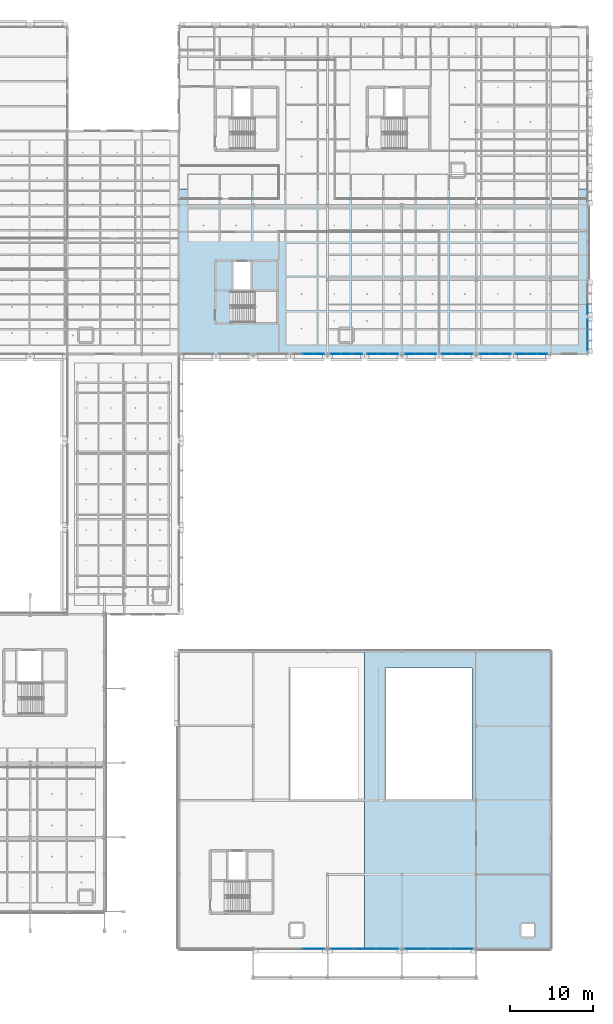
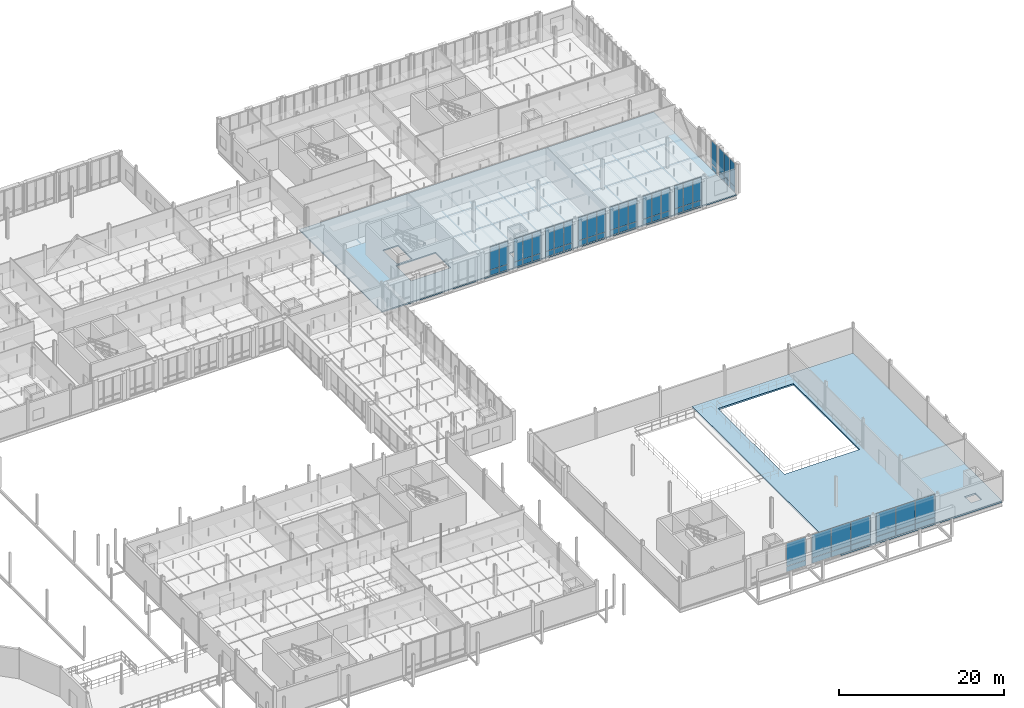
# One storey, part 60 of 130: 62 plates, 2 slabs, 12 elements without a shape of their own.
"""IFC4 building model written with IfcOpenShell, lengths in metres."""

from ifc_helpers import new_model, si_unit, direction, frame, origin, origin_2d, place, context, subcontext, project, spatial, polyline, rectangle, outline, extrude, material, layer, layer_set, type_object, element, aggregate, save


model = new_model("IFC4")

# Units and contexts
model_context = context("Model", 3, precision=1e-05, world=origin(), true_north=direction((0.0, 1.0)))
body_context = subcontext(model_context, "Body", "Model", "MODEL_VIEW")
ifc_project = project(units=[si_unit("LENGTHUNIT", "METRE"), si_unit("AREAUNIT", "SQUARE_METRE"), si_unit("VOLUMEUNIT", "CUBIC_METRE"), si_unit("PLANEANGLEUNIT", "RADIAN"), si_unit("MASSUNIT", "GRAM", prefix="KILO"), si_unit("THERMODYNAMICTEMPERATUREUNIT", "KELVIN"), si_unit("POWERUNIT", "WATT")], contexts=[model_context])

# Site, building, storey
site_placement = place(None, origin())
site = spatial("IfcSite", under=ifc_project, at=site_placement, CompositionType="ELEMENT")
building_placement = place(site_placement, origin())
building = spatial("IfcBuilding", under=site, at=building_placement, Name="Tallowbark Science Centre", CompositionType="ELEMENT")
storey_placement = place(building_placement, frame((0.0, 0.0, 5.39990234375)))
storey = spatial("IfcBuildingStorey", under=building, at=storey_placement, Name="L01", CompositionType="ELEMENT", Elevation=5.39990234375)

# Curtain wall, plates
ifc_material_1 = material(Name="Unitised Thermally Broken Aluminium and Low-E Double Glazing", Category="aluminium")
curtain_wall_type = type_object("IfcCurtainWallType", Name="CW-SYS-FACADE", PredefinedType="NOTDEFINED", material=ifc_material_1)
curtain_wall_1_placement = place(storey_placement, origin())
curtain_wall_1 = element("IfcCurtainWall", 1, at=curtain_wall_1_placement, inside=storey, type_object=curtain_wall_type, Name="Unitised Curtain Wall THT-POR-S-1 CW-L01-002", PredefinedType="NOTDEFINED")
ifc_material_2 = material(Name="Double Glazed Argon Low-E Vision Glass", Category="glass")
ifc_layer_1 = layer(ifc_material_2, 0.028076171875)
ifc_layer_set_1 = layer_set([ifc_layer_1], Name="Double Glazed Argon Low-E Vision Glass")
plate_type_1 = type_object("IfcPlateType", Name="CWP-GLZ-28", PredefinedType="CURTAIN_PANEL", material=ifc_layer_set_1)
plate_1_placement = place(storey_placement, frame((128.75048828125, 0.0, 0.05517578125), z_axis=(0.0, 0.0, 1.0), x_axis=(1.0, 0.0, 0.0)))
plate_1 = element("IfcPlate", 2, at=plate_1_placement, type_object=plate_type_1, Name="CW-01 panel 3.1", PredefinedType="CURTAIN_PANEL", context=body_context, shape_type="SweptSolid", body=[
    extrude(rectangle(XDim=2.669189453125, YDim=0.028076171875, at=origin_2d()), origin(), (0.0, 0.0, 1.0), 0.767578125),
])
plate_2_placement = place(storey_placement, frame((128.75048828125, 0.0, 0.87744140625), z_axis=(0.0, 0.0, 1.0), x_axis=(1.0, 0.0, 0.0)))
plate_2 = element("IfcPlate", 3, at=plate_2_placement, type_object=plate_type_1, Name="CW-01 panel 3.2", PredefinedType="CURTAIN_PANEL", context=body_context, shape_type="SweptSolid", body=[
    extrude(rectangle(XDim=2.669189453125, YDim=0.028076171875, at=origin_2d()), origin(), (0.0, 0.0, 1.0), 3.387451171875),
])
aggregate(curtain_wall_1, [plate_1, plate_2])

curtain_wall_2_placement = place(storey_placement, origin())
curtain_wall_2 = element("IfcCurtainWall", 4, at=curtain_wall_2_placement, inside=storey, type_object=curtain_wall_type, Name="Unitised Curtain Wall THT-POR-S-3 CW-L01-004", PredefinedType="NOTDEFINED")
plate_3_placement = place(storey_placement, frame((141.24951171875, 0.0, 0.05517578125), z_axis=(0.0, 0.0, 1.0), x_axis=(1.0, 0.0, 0.0)))
plate_3 = element("IfcPlate", 5, at=plate_3_placement, type_object=plate_type_1, Name="CW-01 panel 1.1", PredefinedType="CURTAIN_PANEL", context=body_context, shape_type="SweptSolid", body=[
    extrude(rectangle(XDim=2.669189453125, YDim=0.028076171875, at=origin_2d()), origin(), (0.0, 0.0, 1.0), 0.767578125),
])
plate_4_placement = place(storey_placement, frame((141.24951171875, 0.0, 0.87744140625), z_axis=(0.0, 0.0, 1.0), x_axis=(1.0, 0.0, 0.0)))
plate_4 = element("IfcPlate", 6, at=plate_4_placement, type_object=plate_type_1, Name="CW-01 panel 1.2", PredefinedType="CURTAIN_PANEL", context=body_context, shape_type="SweptSolid", body=[
    extrude(rectangle(XDim=2.669189453125, YDim=0.028076171875, at=origin_2d()), origin(), (0.0, 0.0, 1.0), 3.387451171875),
])
plate_5_placement = place(storey_placement, frame((144.0, 0.0, 0.05517578125), z_axis=(0.0, 0.0, 1.0), x_axis=(1.0, 0.0, 0.0)))
plate_5 = element("IfcPlate", 7, at=plate_5_placement, type_object=plate_type_1, Name="CW-01 panel 2.1", PredefinedType="CURTAIN_PANEL", context=body_context, shape_type="SweptSolid", body=[
    extrude(rectangle(XDim=2.70166015625, YDim=0.028076171875, at=origin_2d()), origin(), (0.0, 0.0, 1.0), 0.767578125),
])
plate_6_placement = place(storey_placement, frame((144.0, 0.0, 0.87744140625), z_axis=(0.0, 0.0, 1.0), x_axis=(1.0, 0.0, 0.0)))
plate_6 = element("IfcPlate", 8, at=plate_6_placement, type_object=plate_type_1, Name="CW-01 panel 2.2", PredefinedType="CURTAIN_PANEL", context=body_context, shape_type="SweptSolid", body=[
    extrude(rectangle(XDim=2.70166015625, YDim=0.028076171875, at=origin_2d()), origin(), (0.0, 0.0, 1.0), 3.387451171875),
])
plate_7_placement = place(storey_placement, frame((146.75048828125, 0.0, 0.05517578125), z_axis=(0.0, 0.0, 1.0), x_axis=(1.0, 0.0, 0.0)))
plate_7 = element("IfcPlate", 9, at=plate_7_placement, type_object=plate_type_1, Name="CW-01 panel 3.1", PredefinedType="CURTAIN_PANEL", context=body_context, shape_type="SweptSolid", body=[
    extrude(rectangle(XDim=2.669189453125, YDim=0.028076171875, at=origin_2d()), origin(), (0.0, 0.0, 1.0), 0.767578125),
])
plate_8_placement = place(storey_placement, frame((146.75048828125, 0.0, 0.87744140625), z_axis=(0.0, 0.0, 1.0), x_axis=(1.0, 0.0, 0.0)))
plate_8 = element("IfcPlate", 10, at=plate_8_placement, type_object=plate_type_1, Name="CW-01 panel 3.2", PredefinedType="CURTAIN_PANEL", context=body_context, shape_type="SweptSolid", body=[
    extrude(rectangle(XDim=2.669189453125, YDim=0.028076171875, at=origin_2d()), origin(), (0.0, 0.0, 1.0), 3.387451171875),
])
aggregate(curtain_wall_2, [plate_3, plate_4, plate_5, plate_6, plate_7, plate_8])

curtain_wall_3_placement = place(storey_placement, origin())
curtain_wall_3 = element("IfcCurtainWall", 11, at=curtain_wall_3_placement, inside=storey, type_object=curtain_wall_type, Name="Unitised Curtain Wall OBS-S-130B CW-L01-121", PredefinedType="NOTDEFINED")
plate_9_placement = place(storey_placement, frame((135.916259765625, 72.0, 0.05517578125), z_axis=(0.0, 0.0, 1.0), x_axis=(1.0, 0.0, 0.0)))
plate_9 = element("IfcPlate", 12, at=plate_9_placement, type_object=plate_type_1, Name="CW-01 panel 1.1", PredefinedType="CURTAIN_PANEL", context=body_context, shape_type="SweptSolid", body=[
    extrude(rectangle(XDim=1.202392578125, YDim=0.028076171875, at=origin_2d()), origin(), (0.0, 0.0, 1.0), 0.767578125),
])
plate_10_placement = place(storey_placement, frame((135.916259765625, 72.0, 0.87744140625), z_axis=(0.0, 0.0, 1.0), x_axis=(1.0, 0.0, 0.0)))
plate_10 = element("IfcPlate", 13, at=plate_10_placement, type_object=plate_type_1, Name="CW-01 panel 1.2", PredefinedType="CURTAIN_PANEL", context=body_context, shape_type="SweptSolid", body=[
    extrude(rectangle(XDim=1.202392578125, YDim=0.028076171875, at=origin_2d()), origin(), (0.0, 0.0, 1.0), 3.387451171875),
])
plate_11_placement = place(storey_placement, frame((137.199951171875, 72.0, 0.05517578125), z_axis=(0.0, 0.0, 1.0), x_axis=(1.0, 0.0, 0.0)))
plate_11 = element("IfcPlate", 14, at=plate_11_placement, type_object=plate_type_1, Name="CW-01 panel 2.1", PredefinedType="CURTAIN_PANEL", context=body_context, shape_type="SweptSolid", body=[
    extrude(rectangle(XDim=1.235107421875, YDim=0.028076171875, at=origin_2d()), origin(), (0.0, 0.0, 1.0), 0.767578125),
])
plate_12_placement = place(storey_placement, frame((137.199951171875, 72.0, 0.87744140625), z_axis=(0.0, 0.0, 1.0), x_axis=(1.0, 0.0, 0.0)))
plate_12 = element("IfcPlate", 15, at=plate_12_placement, type_object=plate_type_1, Name="CW-01 panel 2.2", PredefinedType="CURTAIN_PANEL", context=body_context, shape_type="SweptSolid", body=[
    extrude(rectangle(XDim=1.235107421875, YDim=0.028076171875, at=origin_2d()), origin(), (0.0, 0.0, 1.0), 3.387451171875),
])
plate_13_placement = place(storey_placement, frame((138.483642578125, 72.0, 0.05517578125), z_axis=(0.0, 0.0, 1.0), x_axis=(1.0, 0.0, 0.0)))
plate_13 = element("IfcPlate", 16, at=plate_13_placement, type_object=plate_type_1, Name="CW-01 panel 3.1", PredefinedType="CURTAIN_PANEL", context=body_context, shape_type="SweptSolid", body=[
    extrude(rectangle(XDim=1.202392578125, YDim=0.028076171875, at=origin_2d()), origin(), (0.0, 0.0, 1.0), 0.767578125),
])
plate_14_placement = place(storey_placement, frame((138.483642578125, 72.0, 0.87744140625), z_axis=(0.0, 0.0, 1.0), x_axis=(1.0, 0.0, 0.0)))
plate_14 = element("IfcPlate", 17, at=plate_14_placement, type_object=plate_type_1, Name="CW-01 panel 3.2", PredefinedType="CURTAIN_PANEL", context=body_context, shape_type="SweptSolid", body=[
    extrude(rectangle(XDim=1.202392578125, YDim=0.028076171875, at=origin_2d()), origin(), (0.0, 0.0, 1.0), 3.387451171875),
])
aggregate(curtain_wall_3, [plate_9, plate_10, plate_11, plate_12, plate_13, plate_14])

curtain_wall_4_placement = place(storey_placement, origin())
curtain_wall_4 = element("IfcCurtainWall", 18, at=curtain_wall_4_placement, inside=storey, type_object=curtain_wall_type, Name="Unitised Curtain Wall OBS-S-139A CW-L01-124", PredefinedType="NOTDEFINED")
plate_15_placement = place(storey_placement, frame((140.516357421875, 72.0, 0.05517578125), z_axis=(0.0, 0.0, 1.0), x_axis=(1.0, 0.0, 0.0)))
plate_15 = element("IfcPlate", 19, at=plate_15_placement, type_object=plate_type_1, Name="CW-01 panel 1.1", PredefinedType="CURTAIN_PANEL", context=body_context, shape_type="SweptSolid", body=[
    extrude(rectangle(XDim=1.202392578125, YDim=0.028076171875, at=origin_2d()), origin(), (0.0, 0.0, 1.0), 0.767578125),
])
plate_16_placement = place(storey_placement, frame((140.516357421875, 72.0, 0.87744140625), z_axis=(0.0, 0.0, 1.0), x_axis=(1.0, 0.0, 0.0)))
plate_16 = element("IfcPlate", 20, at=plate_16_placement, type_object=plate_type_1, Name="CW-01 panel 1.2", PredefinedType="CURTAIN_PANEL", context=body_context, shape_type="SweptSolid", body=[
    extrude(rectangle(XDim=1.202392578125, YDim=0.028076171875, at=origin_2d()), origin(), (0.0, 0.0, 1.0), 3.387451171875),
])
plate_17_placement = place(storey_placement, frame((141.800048828125, 72.0, 0.05517578125), z_axis=(0.0, 0.0, 1.0), x_axis=(1.0, 0.0, 0.0)))
plate_17 = element("IfcPlate", 21, at=plate_17_placement, type_object=plate_type_1, Name="CW-01 panel 2.1", PredefinedType="CURTAIN_PANEL", context=body_context, shape_type="SweptSolid", body=[
    extrude(rectangle(XDim=1.235107421875, YDim=0.028076171875, at=origin_2d()), origin(), (0.0, 0.0, 1.0), 0.767578125),
])
plate_18_placement = place(storey_placement, frame((141.800048828125, 72.0, 0.87744140625), z_axis=(0.0, 0.0, 1.0), x_axis=(1.0, 0.0, 0.0)))
plate_18 = element("IfcPlate", 22, at=plate_18_placement, type_object=plate_type_1, Name="CW-01 panel 2.2", PredefinedType="CURTAIN_PANEL", context=body_context, shape_type="SweptSolid", body=[
    extrude(rectangle(XDim=1.235107421875, YDim=0.028076171875, at=origin_2d()), origin(), (0.0, 0.0, 1.0), 3.387451171875),
])
plate_19_placement = place(storey_placement, frame((143.083740234375, 72.0, 0.05517578125), z_axis=(0.0, 0.0, 1.0), x_axis=(1.0, 0.0, 0.0)))
plate_19 = element("IfcPlate", 23, at=plate_19_placement, type_object=plate_type_1, Name="CW-01 panel 3.1", PredefinedType="CURTAIN_PANEL", context=body_context, shape_type="SweptSolid", body=[
    extrude(rectangle(XDim=1.202392578125, YDim=0.028076171875, at=origin_2d()), origin(), (0.0, 0.0, 1.0), 0.767578125),
])
plate_20_placement = place(storey_placement, frame((143.083740234375, 72.0, 0.87744140625), z_axis=(0.0, 0.0, 1.0), x_axis=(1.0, 0.0, 0.0)))
plate_20 = element("IfcPlate", 24, at=plate_20_placement, type_object=plate_type_1, Name="CW-01 panel 3.2", PredefinedType="CURTAIN_PANEL", context=body_context, shape_type="SweptSolid", body=[
    extrude(rectangle(XDim=1.202392578125, YDim=0.028076171875, at=origin_2d()), origin(), (0.0, 0.0, 1.0), 3.387451171875),
])
aggregate(curtain_wall_4, [plate_15, plate_16, plate_17, plate_18, plate_19, plate_20])

curtain_wall_5_placement = place(storey_placement, origin())
curtain_wall_5 = element("IfcCurtainWall", 25, at=curtain_wall_5_placement, inside=storey, type_object=curtain_wall_type, Name="Unitised Curtain Wall OBS-S-139B CW-L01-125", PredefinedType="NOTDEFINED")
plate_21_placement = place(storey_placement, frame((144.916259765625, 72.0, 0.05517578125), z_axis=(0.0, 0.0, 1.0), x_axis=(1.0, 0.0, 0.0)))
plate_21 = element("IfcPlate", 26, at=plate_21_placement, type_object=plate_type_1, Name="CW-01 panel 1.1", PredefinedType="CURTAIN_PANEL", context=body_context, shape_type="SweptSolid", body=[
    extrude(rectangle(XDim=1.202392578125, YDim=0.028076171875, at=origin_2d()), origin(), (0.0, 0.0, 1.0), 0.767578125),
])
plate_22_placement = place(storey_placement, frame((144.916259765625, 72.0, 0.87744140625), z_axis=(0.0, 0.0, 1.0), x_axis=(1.0, 0.0, 0.0)))
plate_22 = element("IfcPlate", 27, at=plate_22_placement, type_object=plate_type_1, Name="CW-01 panel 1.2", PredefinedType="CURTAIN_PANEL", context=body_context, shape_type="SweptSolid", body=[
    extrude(rectangle(XDim=1.202392578125, YDim=0.028076171875, at=origin_2d()), origin(), (0.0, 0.0, 1.0), 3.387451171875),
])
plate_23_placement = place(storey_placement, frame((146.199951171875, 72.0, 0.05517578125), z_axis=(0.0, 0.0, 1.0), x_axis=(1.0, 0.0, 0.0)))
plate_23 = element("IfcPlate", 28, at=plate_23_placement, type_object=plate_type_1, Name="CW-01 panel 2.1", PredefinedType="CURTAIN_PANEL", context=body_context, shape_type="SweptSolid", body=[
    extrude(rectangle(XDim=1.235107421875, YDim=0.028076171875, at=origin_2d()), origin(), (0.0, 0.0, 1.0), 0.767578125),
])
plate_24_placement = place(storey_placement, frame((146.199951171875, 72.0, 0.87744140625), z_axis=(0.0, 0.0, 1.0), x_axis=(1.0, 0.0, 0.0)))
plate_24 = element("IfcPlate", 29, at=plate_24_placement, type_object=plate_type_1, Name="CW-01 panel 2.2", PredefinedType="CURTAIN_PANEL", context=body_context, shape_type="SweptSolid", body=[
    extrude(rectangle(XDim=1.235107421875, YDim=0.028076171875, at=origin_2d()), origin(), (0.0, 0.0, 1.0), 3.387451171875),
])
plate_25_placement = place(storey_placement, frame((147.483642578125, 72.0, 0.05517578125), z_axis=(0.0, 0.0, 1.0), x_axis=(1.0, 0.0, 0.0)))
plate_25 = element("IfcPlate", 30, at=plate_25_placement, type_object=plate_type_1, Name="CW-01 panel 3.1", PredefinedType="CURTAIN_PANEL", context=body_context, shape_type="SweptSolid", body=[
    extrude(rectangle(XDim=1.202392578125, YDim=0.028076171875, at=origin_2d()), origin(), (0.0, 0.0, 1.0), 0.767578125),
])
plate_26_placement = place(storey_placement, frame((147.483642578125, 72.0, 0.87744140625), z_axis=(0.0, 0.0, 1.0), x_axis=(1.0, 0.0, 0.0)))
plate_26 = element("IfcPlate", 31, at=plate_26_placement, type_object=plate_type_1, Name="CW-01 panel 3.2", PredefinedType="CURTAIN_PANEL", context=body_context, shape_type="SweptSolid", body=[
    extrude(rectangle(XDim=1.202392578125, YDim=0.028076171875, at=origin_2d()), origin(), (0.0, 0.0, 1.0), 3.387451171875),
])
aggregate(curtain_wall_5, [plate_21, plate_22, plate_23, plate_24, plate_25, plate_26])

curtain_wall_6_placement = place(storey_placement, origin())
curtain_wall_6 = element("IfcCurtainWall", 32, at=curtain_wall_6_placement, inside=storey, type_object=curtain_wall_type, Name="Unitised Curtain Wall OBS-S-148A CW-L01-128", PredefinedType="NOTDEFINED")
plate_27_placement = place(storey_placement, frame((149.516357421875, 72.0, 0.05517578125), z_axis=(0.0, 0.0, 1.0), x_axis=(1.0, 0.0, 0.0)))
plate_27 = element("IfcPlate", 33, at=plate_27_placement, type_object=plate_type_1, Name="CW-01 panel 1.1", PredefinedType="CURTAIN_PANEL", context=body_context, shape_type="SweptSolid", body=[
    extrude(rectangle(XDim=1.202392578125, YDim=0.028076171875, at=origin_2d()), origin(), (0.0, 0.0, 1.0), 0.767578125),
])
plate_28_placement = place(storey_placement, frame((149.516357421875, 72.0, 0.87744140625), z_axis=(0.0, 0.0, 1.0), x_axis=(1.0, 0.0, 0.0)))
plate_28 = element("IfcPlate", 34, at=plate_28_placement, type_object=plate_type_1, Name="CW-01 panel 1.2", PredefinedType="CURTAIN_PANEL", context=body_context, shape_type="SweptSolid", body=[
    extrude(rectangle(XDim=1.202392578125, YDim=0.028076171875, at=origin_2d()), origin(), (0.0, 0.0, 1.0), 3.387451171875),
])
plate_29_placement = place(storey_placement, frame((150.800048828125, 72.0, 0.05517578125), z_axis=(0.0, 0.0, 1.0), x_axis=(1.0, 0.0, 0.0)))
plate_29 = element("IfcPlate", 35, at=plate_29_placement, type_object=plate_type_1, Name="CW-01 panel 2.1", PredefinedType="CURTAIN_PANEL", context=body_context, shape_type="SweptSolid", body=[
    extrude(rectangle(XDim=1.235107421875, YDim=0.028076171875, at=origin_2d()), origin(), (0.0, 0.0, 1.0), 0.767578125),
])
plate_30_placement = place(storey_placement, frame((150.800048828125, 72.0, 0.87744140625), z_axis=(0.0, 0.0, 1.0), x_axis=(1.0, 0.0, 0.0)))
plate_30 = element("IfcPlate", 36, at=plate_30_placement, type_object=plate_type_1, Name="CW-01 panel 2.2", PredefinedType="CURTAIN_PANEL", context=body_context, shape_type="SweptSolid", body=[
    extrude(rectangle(XDim=1.235107421875, YDim=0.028076171875, at=origin_2d()), origin(), (0.0, 0.0, 1.0), 3.387451171875),
])
plate_31_placement = place(storey_placement, frame((152.083740234375, 72.0, 0.05517578125), z_axis=(0.0, 0.0, 1.0), x_axis=(1.0, 0.0, 0.0)))
plate_31 = element("IfcPlate", 37, at=plate_31_placement, type_object=plate_type_1, Name="CW-01 panel 3.1", PredefinedType="CURTAIN_PANEL", context=body_context, shape_type="SweptSolid", body=[
    extrude(rectangle(XDim=1.202392578125, YDim=0.028076171875, at=origin_2d()), origin(), (0.0, 0.0, 1.0), 0.767578125),
])
plate_32_placement = place(storey_placement, frame((152.083740234375, 72.0, 0.87744140625), z_axis=(0.0, 0.0, 1.0), x_axis=(1.0, 0.0, 0.0)))
plate_32 = element("IfcPlate", 38, at=plate_32_placement, type_object=plate_type_1, Name="CW-01 panel 3.2", PredefinedType="CURTAIN_PANEL", context=body_context, shape_type="SweptSolid", body=[
    extrude(rectangle(XDim=1.202392578125, YDim=0.028076171875, at=origin_2d()), origin(), (0.0, 0.0, 1.0), 3.387451171875),
])
aggregate(curtain_wall_6, [plate_27, plate_28, plate_29, plate_30, plate_31, plate_32])

curtain_wall_7_placement = place(storey_placement, origin())
curtain_wall_7 = element("IfcCurtainWall", 39, at=curtain_wall_7_placement, inside=storey, type_object=curtain_wall_type, Name="Unitised Curtain Wall OBS-E-72B CW-L01-133", PredefinedType="NOTDEFINED")
plate_33_placement = place(storey_placement, frame((162.0, 77.416259765625, 0.05517578125), z_axis=(0.0, 0.0, 1.0), x_axis=(0.0, 1.0, 0.0)))
plate_33 = element("IfcPlate", 40, at=plate_33_placement, type_object=plate_type_1, Name="CW-01 panel 1.1", PredefinedType="CURTAIN_PANEL", context=body_context, shape_type="SweptSolid", body=[
    extrude(rectangle(XDim=1.202392578125, YDim=0.028076171875, at=origin_2d()), origin(), (0.0, 0.0, 1.0), 0.767578125),
])
plate_34_placement = place(storey_placement, frame((162.0, 77.416259765625, 0.87744140625), z_axis=(0.0, 0.0, 1.0), x_axis=(0.0, 1.0, 0.0)))
plate_34 = element("IfcPlate", 41, at=plate_34_placement, type_object=plate_type_1, Name="CW-01 panel 1.2", PredefinedType="CURTAIN_PANEL", context=body_context, shape_type="SweptSolid", body=[
    extrude(rectangle(XDim=1.202392578125, YDim=0.028076171875, at=origin_2d()), origin(), (0.0, 0.0, 1.0), 3.387451171875),
])
aggregate(curtain_wall_7, [plate_33, plate_34])

curtain_wall_8_placement = place(storey_placement, origin())
curtain_wall_8 = element("IfcCurtainWall", 42, at=curtain_wall_8_placement, inside=storey, type_object=curtain_wall_type, Name="Unitised Curtain Wall THT-POR-S-2 CW-L01-003", PredefinedType="NOTDEFINED")
ifc_material_3 = material(Name="Ceramic-Fritted Insulated Glass Spandrel Panel", Category="glass")
ifc_layer_2 = layer(ifc_material_3, 0.031982421875)
ifc_layer_set_2 = layer_set([ifc_layer_2], Name="Ceramic-Fritted Insulated Glass Spandrel Panel")
plate_type_2 = type_object("IfcPlateType", Name="CWP-SPN-32", PredefinedType="CURTAIN_PANEL", material=ifc_layer_set_2)
plate_35_placement = place(storey_placement, frame((132.24951171875, 0.0, 0.05517578125), z_axis=(0.0, 0.0, 1.0), x_axis=(1.0, 0.0, 0.0)))
plate_35 = element("IfcPlate", 43, at=plate_35_placement, type_object=plate_type_2, Name="CW-01 panel 1.1", PredefinedType="CURTAIN_PANEL", context=body_context, shape_type="SweptSolid", body=[
    extrude(rectangle(XDim=2.669189453125, YDim=0.031982421875, at=origin_2d()), origin(), (0.0, 0.0, 1.0), 0.767578125),
])
plate_36_placement = place(storey_placement, frame((132.24951171875, 0.0, 0.87744140625), z_axis=(0.0, 0.0, 1.0), x_axis=(1.0, 0.0, 0.0)))
plate_36 = element("IfcPlate", 44, at=plate_36_placement, type_object=plate_type_2, Name="CW-01 panel 1.2", PredefinedType="CURTAIN_PANEL", context=body_context, shape_type="SweptSolid", body=[
    extrude(rectangle(XDim=2.669189453125, YDim=0.031982421875, at=origin_2d()), origin(), (0.0, 0.0, 1.0), 3.387451171875),
])
plate_37_placement = place(storey_placement, frame((135.0, 0.0, 0.05517578125), z_axis=(0.0, 0.0, 1.0), x_axis=(1.0, 0.0, 0.0)))
plate_37 = element("IfcPlate", 45, at=plate_37_placement, type_object=plate_type_2, Name="CW-01 panel 2.1", PredefinedType="CURTAIN_PANEL", context=body_context, shape_type="SweptSolid", body=[
    extrude(rectangle(XDim=2.70166015625, YDim=0.031982421875, at=origin_2d()), origin(), (0.0, 0.0, 1.0), 0.767578125),
])
plate_38_placement = place(storey_placement, frame((135.0, 0.0, 0.87744140625), z_axis=(0.0, 0.0, 1.0), x_axis=(1.0, 0.0, 0.0)))
plate_38 = element("IfcPlate", 46, at=plate_38_placement, type_object=plate_type_2, Name="CW-01 panel 2.2", PredefinedType="CURTAIN_PANEL", context=body_context, shape_type="SweptSolid", body=[
    extrude(rectangle(XDim=2.70166015625, YDim=0.031982421875, at=origin_2d()), origin(), (0.0, 0.0, 1.0), 3.387451171875),
])
plate_39_placement = place(storey_placement, frame((137.75048828125, 0.0, 0.05517578125), z_axis=(0.0, 0.0, 1.0), x_axis=(1.0, 0.0, 0.0)))
plate_39 = element("IfcPlate", 47, at=plate_39_placement, type_object=plate_type_2, Name="CW-01 panel 3.1", PredefinedType="CURTAIN_PANEL", context=body_context, shape_type="SweptSolid", body=[
    extrude(rectangle(XDim=2.669189453125, YDim=0.031982421875, at=origin_2d()), origin(), (0.0, 0.0, 1.0), 0.767578125),
])
plate_40_placement = place(storey_placement, frame((137.75048828125, 0.0, 0.87744140625), z_axis=(0.0, 0.0, 1.0), x_axis=(1.0, 0.0, 0.0)))
plate_40 = element("IfcPlate", 48, at=plate_40_placement, type_object=plate_type_2, Name="CW-01 panel 3.2", PredefinedType="CURTAIN_PANEL", context=body_context, shape_type="SweptSolid", body=[
    extrude(rectangle(XDim=2.669189453125, YDim=0.031982421875, at=origin_2d()), origin(), (0.0, 0.0, 1.0), 3.387451171875),
])
aggregate(curtain_wall_8, [plate_35, plate_36, plate_37, plate_38, plate_39, plate_40])

curtain_wall_9_placement = place(storey_placement, origin())
curtain_wall_9 = element("IfcCurtainWall", 49, at=curtain_wall_9_placement, inside=storey, type_object=curtain_wall_type, Name="Unitised Curtain Wall OBS-S-121B CW-L01-117", PredefinedType="NOTDEFINED")
plate_41_placement = place(storey_placement, frame((128.199951171875, 72.0, 0.05517578125), z_axis=(0.0, 0.0, 1.0), x_axis=(1.0, 0.0, 0.0)))
plate_41 = element("IfcPlate", 50, at=plate_41_placement, type_object=plate_type_2, Name="CW-01 panel 2.1", PredefinedType="CURTAIN_PANEL", context=body_context, shape_type="SweptSolid", body=[
    extrude(rectangle(XDim=1.235107421875, YDim=0.031982421875, at=origin_2d()), origin(), (0.0, 0.0, 1.0), 0.767578125),
])
plate_42_placement = place(storey_placement, frame((128.199951171875, 72.0, 0.87744140625), z_axis=(0.0, 0.0, 1.0), x_axis=(1.0, 0.0, 0.0)))
plate_42 = element("IfcPlate", 51, at=plate_42_placement, type_object=plate_type_2, Name="CW-01 panel 2.2", PredefinedType="CURTAIN_PANEL", context=body_context, shape_type="SweptSolid", body=[
    extrude(rectangle(XDim=1.235107421875, YDim=0.031982421875, at=origin_2d()), origin(), (0.0, 0.0, 1.0), 3.387451171875),
])
plate_43_placement = place(storey_placement, frame((129.483642578125, 72.0, 0.05517578125), z_axis=(0.0, 0.0, 1.0), x_axis=(1.0, 0.0, 0.0)))
plate_43 = element("IfcPlate", 52, at=plate_43_placement, type_object=plate_type_2, Name="CW-01 panel 3.1", PredefinedType="CURTAIN_PANEL", context=body_context, shape_type="SweptSolid", body=[
    extrude(rectangle(XDim=1.202392578125, YDim=0.031982421875, at=origin_2d()), origin(), (0.0, 0.0, 1.0), 0.767578125),
])
plate_44_placement = place(storey_placement, frame((129.483642578125, 72.0, 0.87744140625), z_axis=(0.0, 0.0, 1.0), x_axis=(1.0, 0.0, 0.0)))
plate_44 = element("IfcPlate", 53, at=plate_44_placement, type_object=plate_type_2, Name="CW-01 panel 3.2", PredefinedType="CURTAIN_PANEL", context=body_context, shape_type="SweptSolid", body=[
    extrude(rectangle(XDim=1.202392578125, YDim=0.031982421875, at=origin_2d()), origin(), (0.0, 0.0, 1.0), 3.387451171875),
])
aggregate(curtain_wall_9, [plate_41, plate_42, plate_43, plate_44])

curtain_wall_10_placement = place(storey_placement, origin())
curtain_wall_10 = element("IfcCurtainWall", 54, at=curtain_wall_10_placement, inside=storey, type_object=curtain_wall_type, Name="Unitised Curtain Wall OBS-S-130A CW-L01-120", PredefinedType="NOTDEFINED")
plate_45_placement = place(storey_placement, frame((131.516357421875, 72.0, 0.05517578125), z_axis=(0.0, 0.0, 1.0), x_axis=(1.0, 0.0, 0.0)))
plate_45 = element("IfcPlate", 55, at=plate_45_placement, type_object=plate_type_2, Name="CW-01 panel 1.1", PredefinedType="CURTAIN_PANEL", context=body_context, shape_type="SweptSolid", body=[
    extrude(rectangle(XDim=1.202392578125, YDim=0.031982421875, at=origin_2d()), origin(), (0.0, 0.0, 1.0), 0.767578125),
])
plate_46_placement = place(storey_placement, frame((131.516357421875, 72.0, 0.87744140625), z_axis=(0.0, 0.0, 1.0), x_axis=(1.0, 0.0, 0.0)))
plate_46 = element("IfcPlate", 56, at=plate_46_placement, type_object=plate_type_2, Name="CW-01 panel 1.2", PredefinedType="CURTAIN_PANEL", context=body_context, shape_type="SweptSolid", body=[
    extrude(rectangle(XDim=1.202392578125, YDim=0.031982421875, at=origin_2d()), origin(), (0.0, 0.0, 1.0), 3.387451171875),
])
plate_47_placement = place(storey_placement, frame((132.800048828125, 72.0, 0.05517578125), z_axis=(0.0, 0.0, 1.0), x_axis=(1.0, 0.0, 0.0)))
plate_47 = element("IfcPlate", 57, at=plate_47_placement, type_object=plate_type_2, Name="CW-01 panel 2.1", PredefinedType="CURTAIN_PANEL", context=body_context, shape_type="SweptSolid", body=[
    extrude(rectangle(XDim=1.235107421875, YDim=0.031982421875, at=origin_2d()), origin(), (0.0, 0.0, 1.0), 0.767578125),
])
plate_48_placement = place(storey_placement, frame((132.800048828125, 72.0, 0.87744140625), z_axis=(0.0, 0.0, 1.0), x_axis=(1.0, 0.0, 0.0)))
plate_48 = element("IfcPlate", 58, at=plate_48_placement, type_object=plate_type_2, Name="CW-01 panel 2.2", PredefinedType="CURTAIN_PANEL", context=body_context, shape_type="SweptSolid", body=[
    extrude(rectangle(XDim=1.235107421875, YDim=0.031982421875, at=origin_2d()), origin(), (0.0, 0.0, 1.0), 3.387451171875),
])
plate_49_placement = place(storey_placement, frame((134.083740234375, 72.0, 0.05517578125), z_axis=(0.0, 0.0, 1.0), x_axis=(1.0, 0.0, 0.0)))
plate_49 = element("IfcPlate", 59, at=plate_49_placement, type_object=plate_type_2, Name="CW-01 panel 3.1", PredefinedType="CURTAIN_PANEL", context=body_context, shape_type="SweptSolid", body=[
    extrude(rectangle(XDim=1.202392578125, YDim=0.031982421875, at=origin_2d()), origin(), (0.0, 0.0, 1.0), 0.767578125),
])
plate_50_placement = place(storey_placement, frame((134.083740234375, 72.0, 0.87744140625), z_axis=(0.0, 0.0, 1.0), x_axis=(1.0, 0.0, 0.0)))
plate_50 = element("IfcPlate", 60, at=plate_50_placement, type_object=plate_type_2, Name="CW-01 panel 3.2", PredefinedType="CURTAIN_PANEL", context=body_context, shape_type="SweptSolid", body=[
    extrude(rectangle(XDim=1.202392578125, YDim=0.031982421875, at=origin_2d()), origin(), (0.0, 0.0, 1.0), 3.387451171875),
])
aggregate(curtain_wall_10, [plate_45, plate_46, plate_47, plate_48, plate_49, plate_50])

curtain_wall_11_placement = place(storey_placement, origin())
curtain_wall_11 = element("IfcCurtainWall", 61, at=curtain_wall_11_placement, inside=storey, type_object=curtain_wall_type, Name="Unitised Curtain Wall OBS-S-148B CW-L01-129", PredefinedType="NOTDEFINED")
plate_51_placement = place(storey_placement, frame((153.916259765625, 72.0, 0.05517578125), z_axis=(0.0, 0.0, 1.0), x_axis=(1.0, 0.0, 0.0)))
plate_51 = element("IfcPlate", 62, at=plate_51_placement, type_object=plate_type_2, Name="CW-01 panel 1.1", PredefinedType="CURTAIN_PANEL", context=body_context, shape_type="SweptSolid", body=[
    extrude(rectangle(XDim=1.202392578125, YDim=0.031982421875, at=origin_2d()), origin(), (0.0, 0.0, 1.0), 0.767578125),
])
plate_52_placement = place(storey_placement, frame((153.916259765625, 72.0, 0.87744140625), z_axis=(0.0, 0.0, 1.0), x_axis=(1.0, 0.0, 0.0)))
plate_52 = element("IfcPlate", 63, at=plate_52_placement, type_object=plate_type_2, Name="CW-01 panel 1.2", PredefinedType="CURTAIN_PANEL", context=body_context, shape_type="SweptSolid", body=[
    extrude(rectangle(XDim=1.202392578125, YDim=0.031982421875, at=origin_2d()), origin(), (0.0, 0.0, 1.0), 3.387451171875),
])
plate_53_placement = place(storey_placement, frame((155.199951171875, 72.0, 0.05517578125), z_axis=(0.0, 0.0, 1.0), x_axis=(1.0, 0.0, 0.0)))
plate_53 = element("IfcPlate", 64, at=plate_53_placement, type_object=plate_type_2, Name="CW-01 panel 2.1", PredefinedType="CURTAIN_PANEL", context=body_context, shape_type="SweptSolid", body=[
    extrude(rectangle(XDim=1.235107421875, YDim=0.031982421875, at=origin_2d()), origin(), (0.0, 0.0, 1.0), 0.767578125),
])
plate_54_placement = place(storey_placement, frame((155.199951171875, 72.0, 0.87744140625), z_axis=(0.0, 0.0, 1.0), x_axis=(1.0, 0.0, 0.0)))
plate_54 = element("IfcPlate", 65, at=plate_54_placement, type_object=plate_type_2, Name="CW-01 panel 2.2", PredefinedType="CURTAIN_PANEL", context=body_context, shape_type="SweptSolid", body=[
    extrude(rectangle(XDim=1.235107421875, YDim=0.031982421875, at=origin_2d()), origin(), (0.0, 0.0, 1.0), 3.387451171875),
])
plate_55_placement = place(storey_placement, frame((156.483642578125, 72.0, 0.05517578125), z_axis=(0.0, 0.0, 1.0), x_axis=(1.0, 0.0, 0.0)))
plate_55 = element("IfcPlate", 66, at=plate_55_placement, type_object=plate_type_2, Name="CW-01 panel 3.1", PredefinedType="CURTAIN_PANEL", context=body_context, shape_type="SweptSolid", body=[
    extrude(rectangle(XDim=1.202392578125, YDim=0.031982421875, at=origin_2d()), origin(), (0.0, 0.0, 1.0), 0.767578125),
])
plate_56_placement = place(storey_placement, frame((156.483642578125, 72.0, 0.87744140625), z_axis=(0.0, 0.0, 1.0), x_axis=(1.0, 0.0, 0.0)))
plate_56 = element("IfcPlate", 67, at=plate_56_placement, type_object=plate_type_2, Name="CW-01 panel 3.2", PredefinedType="CURTAIN_PANEL", context=body_context, shape_type="SweptSolid", body=[
    extrude(rectangle(XDim=1.202392578125, YDim=0.031982421875, at=origin_2d()), origin(), (0.0, 0.0, 1.0), 3.387451171875),
])
aggregate(curtain_wall_11, [plate_51, plate_52, plate_53, plate_54, plate_55, plate_56])

curtain_wall_12_placement = place(storey_placement, origin())
curtain_wall_12 = element("IfcCurtainWall", 68, at=curtain_wall_12_placement, inside=storey, type_object=curtain_wall_type, Name="Unitised Curtain Wall OBS-E-72A CW-L01-132", PredefinedType="NOTDEFINED")
plate_57_placement = place(storey_placement, frame((162.0, 73.016357421875, 0.05517578125), z_axis=(0.0, 0.0, 1.0), x_axis=(0.0, 1.0, 0.0)))
plate_57 = element("IfcPlate", 69, at=plate_57_placement, type_object=plate_type_2, Name="CW-01 panel 1.1", PredefinedType="CURTAIN_PANEL", context=body_context, shape_type="SweptSolid", body=[
    extrude(rectangle(XDim=1.202392578125, YDim=0.031982421875, at=origin_2d()), origin(), (0.0, 0.0, 1.0), 0.767578125),
])
plate_58_placement = place(storey_placement, frame((162.0, 73.016357421875, 0.87744140625), z_axis=(0.0, 0.0, 1.0), x_axis=(0.0, 1.0, 0.0)))
plate_58 = element("IfcPlate", 70, at=plate_58_placement, type_object=plate_type_2, Name="CW-01 panel 1.2", PredefinedType="CURTAIN_PANEL", context=body_context, shape_type="SweptSolid", body=[
    extrude(rectangle(XDim=1.202392578125, YDim=0.031982421875, at=origin_2d()), origin(), (0.0, 0.0, 1.0), 3.387451171875),
])
plate_59_placement = place(storey_placement, frame((162.0, 74.300048828125, 0.05517578125), z_axis=(0.0, 0.0, 1.0), x_axis=(0.0, 1.0, 0.0)))
plate_59 = element("IfcPlate", 71, at=plate_59_placement, type_object=plate_type_2, Name="CW-01 panel 2.1", PredefinedType="CURTAIN_PANEL", context=body_context, shape_type="SweptSolid", body=[
    extrude(rectangle(XDim=1.235107421875, YDim=0.031982421875, at=origin_2d()), origin(), (0.0, 0.0, 1.0), 0.767578125),
])
plate_60_placement = place(storey_placement, frame((162.0, 74.300048828125, 0.87744140625), z_axis=(0.0, 0.0, 1.0), x_axis=(0.0, 1.0, 0.0)))
plate_60 = element("IfcPlate", 72, at=plate_60_placement, type_object=plate_type_2, Name="CW-01 panel 2.2", PredefinedType="CURTAIN_PANEL", context=body_context, shape_type="SweptSolid", body=[
    extrude(rectangle(XDim=1.235107421875, YDim=0.031982421875, at=origin_2d()), origin(), (0.0, 0.0, 1.0), 3.387451171875),
])
plate_61_placement = place(storey_placement, frame((162.0, 75.583740234375, 0.05517578125), z_axis=(0.0, 0.0, 1.0), x_axis=(0.0, 1.0, 0.0)))
plate_61 = element("IfcPlate", 73, at=plate_61_placement, type_object=plate_type_2, Name="CW-01 panel 3.1", PredefinedType="CURTAIN_PANEL", context=body_context, shape_type="SweptSolid", body=[
    extrude(rectangle(XDim=1.202392578125, YDim=0.031982421875, at=origin_2d()), origin(), (0.0, 0.0, 1.0), 0.767578125),
])
plate_62_placement = place(storey_placement, frame((162.0, 75.583740234375, 0.87744140625), z_axis=(0.0, 0.0, 1.0), x_axis=(0.0, 1.0, 0.0)))
plate_62 = element("IfcPlate", 74, at=plate_62_placement, type_object=plate_type_2, Name="CW-01 panel 3.2", PredefinedType="CURTAIN_PANEL", context=body_context, shape_type="SweptSolid", body=[
    extrude(rectangle(XDim=1.202392578125, YDim=0.031982421875, at=origin_2d()), origin(), (0.0, 0.0, 1.0), 3.387451171875),
])
aggregate(curtain_wall_12, [plate_57, plate_58, plate_59, plate_60, plate_61, plate_62])

# Slabs
ifc_material_4 = material(Name="Concrete Grade N40 (40 MPa)", Category="concrete")
ifc_layer_3 = layer(ifc_material_4, 0.179931640625)
ifc_layer_set_3 = layer_set([ifc_layer_3], Name="Concrete Grade N40 (40 MPa)")
slab_type_1 = type_object("IfcSlabType", Name="SLB-FLR-180", PredefinedType="FLOOR", material=ifc_layer_set_3)
slab_1_placement = place(storey_placement, frame((0.0, 0.0, -0.179931640625)))
element("IfcSlab", 75, at=slab_1_placement, inside=storey, type_object=slab_type_1, Name="Astronomy Wing South Slab L01 SLB-OBS-S-L01", PredefinedType="FLOOR", context=body_context, shape_type="SweptSolid", body=[
    extrude(outline(polyline([(112.52490234375, 72.0), (162.0, 72.0), (162.0, 92.0), (112.52490234375, 92.0), (112.52490234375, 72.0)]), holes=[polyline([(118.81005859375, 75.85009765625), (124.35009765625, 75.85009765625), (124.35009765625, 79.570068359375), (118.81005859375, 79.570068359375), (118.81005859375, 75.85009765625)]), polyline([(119.10009765625, 79.820068359375), (121.199951171875, 79.820068359375), (121.199951171875, 83.14990234375), (119.10009765625, 83.14990234375), (119.10009765625, 79.820068359375)]), polyline([(132.0, 73.5), (133.5, 73.5), (133.5, 75.0), (132.0, 75.0), (132.0, 73.5)])]), origin(), (0.0, 0.0, 1.0), 0.179931640625),
])
ifc_layer_4 = layer(ifc_material_4, 0.239990234375)
ifc_layer_set_4 = layer_set([ifc_layer_4], Name="Concrete Grade N40 (40 MPa)")
slab_type_2 = type_object("IfcSlabType", Name="SLB-GND-240", PredefinedType="FLOOR", material=ifc_layer_set_4)
slab_2_placement = place(storey_placement, frame((0.0, 0.0, -0.239990234375)))
element("IfcSlab", 76, at=slab_2_placement, inside=storey, type_object=slab_type_2, Name="Theatre East Slab SLB-THT-E-L01", PredefinedType="FLOOR", context=body_context, shape_type="SweptSolid", body=[
    extrude(outline(polyline([(135.0, 0.0), (157.5, 0.0), (157.5, 36.0), (135.0, 36.0), (135.0, 0.0)]), holes=[polyline([(154.0, 1.5), (155.5, 1.5), (155.5, 3.0), (154.0, 3.0), (154.0, 1.5)]), polyline([(137.5, 18.0), (148.0, 18.0), (148.0, 34.0), (137.5, 34.0), (137.5, 18.0)])]), origin(), (0.0, 0.0, 1.0), 0.239990234375),
])

save(model, "model.ifc")
